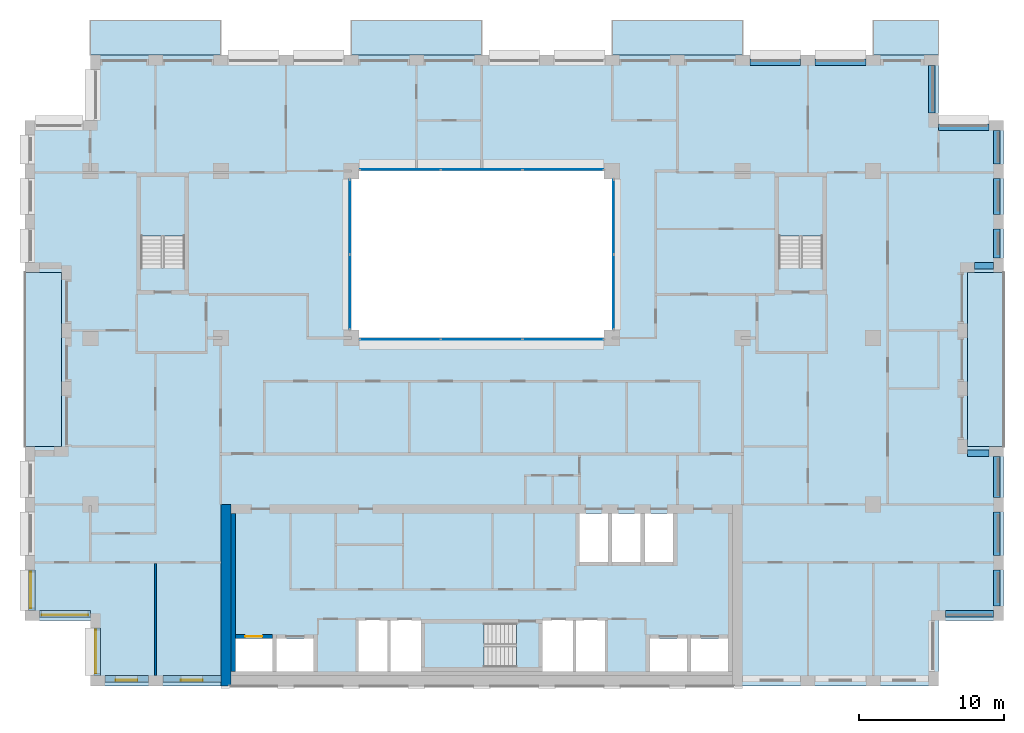
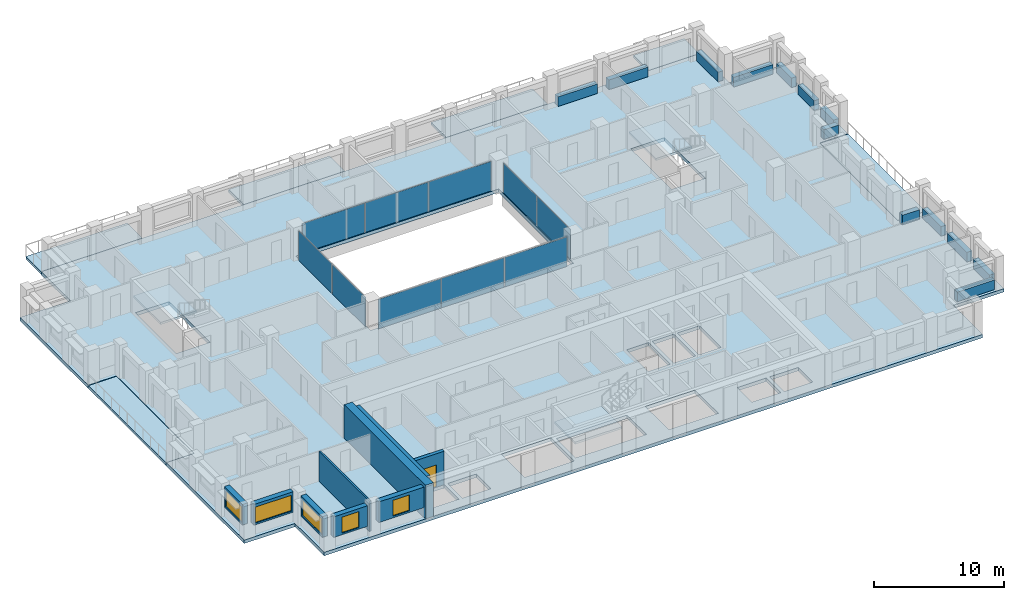
# One storey, part 7 of 16: 13 beams, 10 plates, 10 slabs, 9 walls, 5 windows, 1 door, 6 openings, 7 elements without a shape of their own.
"""IFC4 building model written with IfcOpenShell, lengths in metres."""

from ifc_helpers import new_model, si_unit, direction, frame, frame_2d, origin, origin_2d, place, context, subcontext, project, spatial, polyline, rectangle, outline, extrude, material, layer, layer_set, material_profile, profile_set, type_object, element, fill, aggregate, save


model = new_model("IFC4")

# Units and contexts
model_context = context("Model", 3, precision=1e-05, world=origin(), true_north=direction((0.0, 1.0)))
body_context = subcontext(model_context, "Body", "Model", "MODEL_VIEW")
ifc_project = project(units=[si_unit("LENGTHUNIT", "METRE"), si_unit("AREAUNIT", "SQUARE_METRE"), si_unit("VOLUMEUNIT", "CUBIC_METRE"), si_unit("PLANEANGLEUNIT", "RADIAN"), si_unit("MASSUNIT", "GRAM", prefix="KILO")], contexts=[model_context])

# Site, building, storey
site_placement = place(None, origin())
site = spatial("IfcSite", under=ifc_project, at=site_placement, CompositionType="ELEMENT")
building_placement = place(site_placement, origin())
building = spatial("IfcBuilding", under=site, at=building_placement, Name="Brigalow Station Residences", CompositionType="ELEMENT")
storey_placement = place(building_placement, frame((0.0, 0.0, 169.64990234375)))
storey = spatial("IfcBuildingStorey", under=building, at=storey_placement, Name="L49", CompositionType="ELEMENT", Elevation=169.64990234375)

# Beams
ifc_material_1 = material(Name="Concrete C50", Category="concrete")
ifc_material_profile = material_profile(ifc_material_1, rectangle(XDim=0.449951171875, YDim=0.89990234375, at=origin_2d()), Name="RC450x900")
ifc_profile_set = profile_set([ifc_material_profile], Name="Concrete C50")
beam_type = type_object("IfcBeamType", Name="SPANDREL BEAM 450x900 C50", PredefinedType="SPANDREL", material=ifc_profile_set)
beam_1_placement = place(storey_placement, frame((68.0, 4.97509765625, 0.4501953125), z_axis=(1.0, 0.0, 0.0), x_axis=(0.0, 1.0, 0.0)))
element("IfcBeam", 1, at=beam_1_placement, inside=storey, type_object=beam_type, Name="L49/spandrel/W-L49-8", PredefinedType="SPANDREL", context=body_context, shape_type="SweptSolid", body=[
    extrude(rectangle(XDim=0.449951171875, YDim=0.89990234375, at=origin_2d()), origin(), (0.0, 0.0, 1.0), 3.300048828125),
])
beam_2_placement = place(storey_placement, frame((71.52490234375, 5.5, 0.4501953125), z_axis=(0.0, 1.0, 0.0), x_axis=(-1.0, 0.0, 0.0)))
element("IfcBeam", 2, at=beam_2_placement, inside=storey, type_object=beam_type, Name="L49/spandrel/W-L49-9", PredefinedType="SPANDREL", context=body_context, shape_type="SweptSolid", body=[
    extrude(rectangle(XDim=0.449951171875, YDim=0.89990234375, at=origin_2d()), origin(), (0.0, 0.0, 1.0), 2.5),
])
beam_3_placement = place(storey_placement, frame((71.52490234375, 9.0, 0.4501953125), z_axis=(0.0, 1.0, 0.0), x_axis=(-1.0, 0.0, 0.0)))
element("IfcBeam", 3, at=beam_3_placement, inside=storey, type_object=beam_type, Name="L49/spandrel/W-L49-10", PredefinedType="SPANDREL", context=body_context, shape_type="SweptSolid", body=[
    extrude(rectangle(XDim=0.449951171875, YDim=0.89990234375, at=origin_2d()), origin(), (0.0, 0.0, 1.0), 3.0),
])
beam_4_placement = place(storey_placement, frame((71.52490234375, 13.0, 0.4501953125), z_axis=(0.0, 1.0, 0.0), x_axis=(-1.0, 0.0, 0.0)))
element("IfcBeam", 4, at=beam_4_placement, inside=storey, type_object=beam_type, Name="L49/spandrel/W-L49-11", PredefinedType="SPANDREL", context=body_context, shape_type="SweptSolid", body=[
    extrude(rectangle(XDim=0.449951171875, YDim=0.89990234375, at=origin_2d()), origin(), (0.0, 0.0, 1.0), 2.800048828125),
])
beam_5_placement = place(storey_placement, frame((71.0, 16.02490234375, 0.4501953125), z_axis=(-1.0, 0.0, 0.0), x_axis=(0.0, -1.0, 0.0)))
element("IfcBeam", 5, at=beam_5_placement, inside=storey, type_object=beam_type, Name="L49/spandrel/W-L49-12", PredefinedType="SPANDREL", context=body_context, shape_type="SweptSolid", body=[
    extrude(rectangle(XDim=0.449951171875, YDim=0.89990234375, at=origin_2d()), origin(), (0.0, 0.0, 1.0), 1.5),
])
beam_6_placement = place(storey_placement, frame((70.0, 28.97509765625, 0.4501953125), z_axis=(1.0, 0.0, 0.0), x_axis=(0.0, 1.0, 0.0)))
element("IfcBeam", 6, at=beam_6_placement, inside=storey, type_object=beam_type, Name="L49/spandrel/W-L49-16", PredefinedType="SPANDREL", context=body_context, shape_type="SweptSolid", body=[
    extrude(rectangle(XDim=0.449951171875, YDim=0.89990234375, at=origin_2d()), origin(), (0.0, 0.0, 1.0), 1.300048828125),
])
beam_7_placement = place(storey_placement, frame((71.52490234375, 29.5, 0.4501953125), z_axis=(0.0, 1.0, 0.0), x_axis=(-1.0, 0.0, 0.0)))
element("IfcBeam", 7, at=beam_7_placement, inside=storey, type_object=beam_type, Name="L49/spandrel/W-L49-17", PredefinedType="SPANDREL", context=body_context, shape_type="SweptSolid", body=[
    extrude(rectangle(XDim=0.449951171875, YDim=0.89990234375, at=origin_2d()), origin(), (0.0, 0.0, 1.0), 2.0),
])
beam_8_placement = place(storey_placement, frame((71.52490234375, 32.5, 0.4501953125), z_axis=(0.0, 1.0, 0.0), x_axis=(-1.0, 0.0, 0.0)))
element("IfcBeam", 8, at=beam_8_placement, inside=storey, type_object=beam_type, Name="L49/spandrel/W-L49-18", PredefinedType="SPANDREL", context=body_context, shape_type="SweptSolid", body=[
    extrude(rectangle(XDim=0.449951171875, YDim=0.89990234375, at=origin_2d()), origin(), (0.0, 0.0, 1.0), 2.5),
])
beam_9_placement = place(storey_placement, frame((71.52490234375, 36.0, 0.4501953125), z_axis=(0.0, 1.0, 0.0), x_axis=(-1.0, 0.0, 0.0)))
element("IfcBeam", 9, at=beam_9_placement, inside=storey, type_object=beam_type, Name="L49/spandrel/W-L49-19", PredefinedType="SPANDREL", context=body_context, shape_type="SweptSolid", body=[
    extrude(rectangle(XDim=0.449951171875, YDim=0.89990234375, at=origin_2d()), origin(), (0.0, 0.0, 1.0), 2.300048828125),
])
beam_10_placement = place(storey_placement, frame((71.0, 38.52490234375, 0.4501953125), z_axis=(-1.0, 0.0, 0.0), x_axis=(0.0, -1.0, 0.0)))
element("IfcBeam", 10, at=beam_10_placement, inside=storey, type_object=beam_type, Name="L49/spandrel/W-L49-20", PredefinedType="SPANDREL", context=body_context, shape_type="SweptSolid", body=[
    extrude(rectangle(XDim=0.449951171875, YDim=0.89990234375, at=origin_2d()), origin(), (0.0, 0.0, 1.0), 3.5),
])
beam_11_placement = place(storey_placement, frame((67.02490234375, 39.5, 0.4501953125), z_axis=(0.0, 1.0, 0.0), x_axis=(-1.0, 0.0, 0.0)))
element("IfcBeam", 11, at=beam_11_placement, inside=storey, type_object=beam_type, Name="L49/spandrel/W-L49-21", PredefinedType="SPANDREL", context=body_context, shape_type="SweptSolid", body=[
    extrude(rectangle(XDim=0.449951171875, YDim=0.89990234375, at=origin_2d()), origin(), (0.0, 0.0, 1.0), 3.300048828125),
])
for number, where, z_axis, x_axis, name in (
    (12, (62.5, 43.02490234375, 0.4501953125), (-1.0, 0.0, 0.0), (0.0, -1.0, 0.0), "L49/spandrel/W-L49-23"),
    (13, (58.0, 43.02490234375, 0.4501953125), (-1.0, 0.0, 0.0), (0.0, -1.0, 0.0), "L49/spandrel/W-L49-24"),
):
    element("IfcBeam", number, at=place(storey_placement, frame(where, z_axis=z_axis, x_axis=x_axis)), inside=storey, type_object=beam_type, Name=name, PredefinedType="SPANDREL", context=body_context, shape_type="SweptSolid", body=[
        extrude(rectangle(XDim=0.449951171875, YDim=0.89990234375, at=origin_2d()), origin(), (0.0, 0.0, 1.0), 3.5),
    ])

# Curtain wall, plates
ifc_material_2 = material(Name="Aluminium", Category="aluminium")
ifc_layer_1 = layer(ifc_material_2, 0.14990234375)
ifc_layer_set_1 = layer_set([ifc_layer_1], Name="ATRIUM FIRE-RATED GLAZING CURTAIN WALL")
curtain_wall_type = type_object("IfcCurtainWallType", Name="ATRIUM FIRE-RATED GLAZING CURTAIN WALL", PredefinedType="NOTDEFINED", material=ifc_layer_set_1)
curtain_wall_1_placement = place(storey_placement, origin())
curtain_wall_1 = element("IfcCurtainWall", 14, at=curtain_wall_1_placement, inside=storey, type_object=curtain_wall_type, Name="L49/cw/atrium-S", PredefinedType="NOTDEFINED")
ifc_material_3 = material(Name="Fire-resisting laminated glazing, FRL -/60/-", Category="glass")
ifc_layer_2 = layer(ifc_material_3, 0.031982421875)
ifc_layer_set_2 = layer_set([ifc_layer_2], Name="ATRIUM FIRE-RATED GLAZING PANEL 32")
plate_type = type_object("IfcPlateType", Name="ATRIUM FIRE-RATED GLAZING PANEL 32", PredefinedType="CURTAIN_PANEL", material=ifc_layer_set_2)
plate_1_placement = place(storey_placement, frame((30.381591796875, 23.89990234375, 0.0), z_axis=(0.0, 0.0, 1.0), x_axis=(1.0, 0.0, 0.0)))
plate_1 = element("IfcPlate", 15, at=plate_1_placement, type_object=plate_type, Name="L49/cw/atrium-S/P00-00", PredefinedType="CURTAIN_PANEL", context=body_context, shape_type="SweptSolid", body=[
    extrude(rectangle(XDim=5.543212890625, YDim=0.031982421875, at=origin_2d()), origin(), (0.0, 0.0, 1.0), 2.77001953125),
])
plate_2_placement = place(storey_placement, frame((36.0, 23.89990234375, 0.0), z_axis=(0.0, 0.0, 1.0), x_axis=(1.0, 0.0, 0.0)))
plate_2 = element("IfcPlate", 16, at=plate_2_placement, type_object=plate_type, Name="L49/cw/atrium-S/P01-00", PredefinedType="CURTAIN_PANEL", context=body_context, shape_type="SweptSolid", body=[
    extrude(rectangle(XDim=5.5732421875, YDim=0.031982421875, at=origin_2d()), origin(), (0.0, 0.0, 1.0), 2.77001953125),
])
plate_3_placement = place(storey_placement, frame((41.618408203125, 23.89990234375, 0.0), z_axis=(0.0, 0.0, 1.0), x_axis=(1.0, 0.0, 0.0)))
plate_3 = element("IfcPlate", 17, at=plate_3_placement, type_object=plate_type, Name="L49/cw/atrium-S/P02-00", PredefinedType="CURTAIN_PANEL", context=body_context, shape_type="SweptSolid", body=[
    extrude(rectangle(XDim=5.543212890625, YDim=0.031982421875, at=origin_2d()), origin(), (0.0, 0.0, 1.0), 2.77001953125),
])
aggregate(curtain_wall_1, [plate_1, plate_2, plate_3])

curtain_wall_2_placement = place(storey_placement, origin())
curtain_wall_2 = element("IfcCurtainWall", 18, at=curtain_wall_2_placement, inside=storey, type_object=curtain_wall_type, Name="L49/cw/atrium-E", PredefinedType="NOTDEFINED")
plate_4_placement = place(storey_placement, frame((45.10009765625, 27.1650390625, 0.0), z_axis=(0.0, 0.0, 1.0), x_axis=(0.0, 1.0, 0.0)))
plate_4 = element("IfcPlate", 19, at=plate_4_placement, type_object=plate_type, Name="L49/cw/atrium-E/P00-00", PredefinedType="CURTAIN_PANEL", context=body_context, shape_type="SweptSolid", body=[
    extrude(rectangle(XDim=5.110107421875, YDim=0.031982421875, at=origin_2d()), origin(), (0.0, 0.0, 1.0), 2.77001953125),
])
plate_5_placement = place(storey_placement, frame((45.10009765625, 32.3349609375, 0.0), z_axis=(0.0, 0.0, 1.0), x_axis=(0.0, 1.0, 0.0)))
plate_5 = element("IfcPlate", 20, at=plate_5_placement, type_object=plate_type, Name="L49/cw/atrium-E/P01-00", PredefinedType="CURTAIN_PANEL", context=body_context, shape_type="SweptSolid", body=[
    extrude(rectangle(XDim=5.110107421875, YDim=0.031982421875, at=origin_2d()), origin(), (0.0, 0.0, 1.0), 2.77001953125),
])
aggregate(curtain_wall_2, [plate_4, plate_5])

curtain_wall_3_placement = place(storey_placement, origin())
curtain_wall_3 = element("IfcCurtainWall", 21, at=curtain_wall_3_placement, inside=storey, type_object=curtain_wall_type, Name="L49/cw/atrium-N", PredefinedType="NOTDEFINED")
plate_6_placement = place(storey_placement, frame((41.618408203125, 35.60009765625, 0.0), z_axis=(0.0, 0.0, 1.0), x_axis=(-1.0, 0.0, 0.0)))
plate_6 = element("IfcPlate", 22, at=plate_6_placement, type_object=plate_type, Name="L49/cw/atrium-N/P00-00", PredefinedType="CURTAIN_PANEL", context=body_context, shape_type="SweptSolid", body=[
    extrude(rectangle(XDim=5.543212890625, YDim=0.031982421875, at=origin_2d()), origin(), (0.0, 0.0, 1.0), 2.77001953125),
])
plate_7_placement = place(storey_placement, frame((36.0, 35.60009765625, 0.0), z_axis=(0.0, 0.0, 1.0), x_axis=(-1.0, 0.0, 0.0)))
plate_7 = element("IfcPlate", 23, at=plate_7_placement, type_object=plate_type, Name="L49/cw/atrium-N/P01-00", PredefinedType="CURTAIN_PANEL", context=body_context, shape_type="SweptSolid", body=[
    extrude(rectangle(XDim=5.5732421875, YDim=0.031982421875, at=origin_2d()), origin(), (0.0, 0.0, 1.0), 2.77001953125),
])
plate_8_placement = place(storey_placement, frame((30.381591796875, 35.60009765625, 0.0), z_axis=(0.0, 0.0, 1.0), x_axis=(-1.0, 0.0, 0.0)))
plate_8 = element("IfcPlate", 24, at=plate_8_placement, type_object=plate_type, Name="L49/cw/atrium-N/P02-00", PredefinedType="CURTAIN_PANEL", context=body_context, shape_type="SweptSolid", body=[
    extrude(rectangle(XDim=5.543212890625, YDim=0.031982421875, at=origin_2d()), origin(), (0.0, 0.0, 1.0), 2.77001953125),
])
aggregate(curtain_wall_3, [plate_6, plate_7, plate_8])

curtain_wall_4_placement = place(storey_placement, origin())
curtain_wall_4 = element("IfcCurtainWall", 25, at=curtain_wall_4_placement, inside=storey, type_object=curtain_wall_type, Name="L49/cw/atrium-W", PredefinedType="NOTDEFINED")
plate_9_placement = place(storey_placement, frame((26.89990234375, 32.3349609375, 0.0), z_axis=(0.0, 0.0, 1.0), x_axis=(0.0, -1.0, 0.0)))
plate_9 = element("IfcPlate", 26, at=plate_9_placement, type_object=plate_type, Name="L49/cw/atrium-W/P00-00", PredefinedType="CURTAIN_PANEL", context=body_context, shape_type="SweptSolid", body=[
    extrude(rectangle(XDim=5.110107421875, YDim=0.031982421875, at=origin_2d()), origin(), (0.0, 0.0, 1.0), 2.77001953125),
])
plate_10_placement = place(storey_placement, frame((26.89990234375, 27.1650390625, 0.0), z_axis=(0.0, 0.0, 1.0), x_axis=(0.0, -1.0, 0.0)))
plate_10 = element("IfcPlate", 27, at=plate_10_placement, type_object=plate_type, Name="L49/cw/atrium-W/P01-00", PredefinedType="CURTAIN_PANEL", context=body_context, shape_type="SweptSolid", body=[
    extrude(rectangle(XDim=5.110107421875, YDim=0.031982421875, at=origin_2d()), origin(), (0.0, 0.0, 1.0), 2.77001953125),
])
aggregate(curtain_wall_4, [plate_9, plate_10])

# Slabs
ifc_material_4 = material(Name="Concrete C50 precast", Category="concrete")
ifc_layer_3 = layer(ifc_material_4, 0.25)
ifc_layer_set_3 = layer_set([ifc_layer_3], Name="BALCONY SLAB 250")
slab_type_1 = type_object("IfcSlabType", Name="BALCONY SLAB 250", PredefinedType="USERDEFINED", material=ifc_layer_set_3)
slab_1_placement = place(storey_placement, frame((0.0, 0.0, -0.289794921875)))
element("IfcSlab", 28, at=slab_1_placement, inside=storey, type_object=slab_type_1, Name="L49/balcony/1", ObjectType="BALCONY", PredefinedType="USERDEFINED", context=body_context, shape_type="SweptSolid", body=[
    extrude(outline(polyline([(69.5, 16.5), (72.0, 16.5), (72.0, 28.5), (69.5, 28.5), (69.5, 16.5)])), origin(), (0.0, 0.0, 1.0), 0.25),
])
slab_2_placement = place(storey_placement, frame((0.0, 0.0, -0.289794921875)))
element("IfcSlab", 29, at=slab_2_placement, inside=storey, type_object=slab_type_1, Name="L49/balcony/2", ObjectType="BALCONY", PredefinedType="USERDEFINED", context=body_context, shape_type="SweptSolid", body=[
    extrude(outline(polyline([(67.5, 43.5), (67.5, 45.89990234375), (63.0, 45.89990234375), (63.0, 43.5), (67.5, 43.5)])), origin(), (0.0, 0.0, 1.0), 0.25),
])
slab_3_placement = place(storey_placement, frame((0.0, 0.0, -0.289794921875)))
element("IfcSlab", 30, at=slab_3_placement, inside=storey, type_object=slab_type_1, Name="L49/balcony/3", ObjectType="BALCONY", PredefinedType="USERDEFINED", context=body_context, shape_type="SweptSolid", body=[
    extrude(outline(polyline([(54.0, 43.5), (54.0, 45.89990234375), (45.0, 45.89990234375), (45.0, 43.5), (54.0, 43.5)])), origin(), (0.0, 0.0, 1.0), 0.25),
])
slab_4_placement = place(storey_placement, frame((0.0, 0.0, -0.289794921875)))
element("IfcSlab", 31, at=slab_4_placement, inside=storey, type_object=slab_type_1, Name="L49/balcony/4", ObjectType="BALCONY", PredefinedType="USERDEFINED", context=body_context, shape_type="SweptSolid", body=[
    extrude(outline(polyline([(36.0, 43.5), (36.0, 45.89990234375), (27.0, 45.89990234375), (27.0, 43.5), (36.0, 43.5)])), origin(), (0.0, 0.0, 1.0), 0.25),
])
slab_5_placement = place(storey_placement, frame((0.0, 0.0, -0.289794921875)))
element("IfcSlab", 32, at=slab_5_placement, inside=storey, type_object=slab_type_1, Name="L49/balcony/5", ObjectType="BALCONY", PredefinedType="USERDEFINED", context=body_context, shape_type="SweptSolid", body=[
    extrude(outline(polyline([(18.0, 43.5), (18.0, 45.89990234375), (9.0, 45.89990234375), (9.0, 43.5), (18.0, 43.5)])), origin(), (0.0, 0.0, 1.0), 0.25),
])
slab_6_placement = place(storey_placement, frame((0.0, 0.0, -0.289794921875)))
element("IfcSlab", 33, at=slab_6_placement, inside=storey, type_object=slab_type_1, Name="L49/balcony/6", ObjectType="BALCONY", PredefinedType="USERDEFINED", context=body_context, shape_type="SweptSolid", body=[
    extrude(outline(polyline([(7.0, 28.5), (4.5, 28.5), (4.5, 16.5), (7.0, 16.5), (7.0, 28.5)])), origin(), (0.0, 0.0, 1.0), 0.25),
])
ifc_material_5 = material(Name="Concrete C50", Category="concrete")
ifc_layer_4 = layer(ifc_material_5, 0.320068359375)
ifc_layer_set_4 = layer_set([ifc_layer_4], Name="POST-TENSIONED FLAT PLATE 320 C50")
slab_type_2 = type_object("IfcSlabType", Name="POST-TENSIONED FLAT PLATE 320 C50", PredefinedType="FLOOR", material=ifc_layer_set_4)
slab_7_placement = place(storey_placement, frame((0.0, 0.0, -0.31982421875)))
element("IfcSlab", 34, at=slab_7_placement, inside=storey, type_object=slab_type_2, Name="FLOOR SLAB L49", PredefinedType="FLOOR", context=body_context, shape_type="SweptSolid", body=[
    extrude(outline(polyline([(9.0, 0.0), (67.5, 0.0), (67.5, 4.5), (72.0, 4.5), (72.0, 16.5), (69.5, 16.5), (69.5, 28.5), (72.0, 28.5), (72.0, 39.0), (67.5, 39.0), (67.5, 43.5), (9.0, 43.5), (9.0, 39.0), (4.5, 39.0), (4.5, 28.5), (7.0, 28.5), (7.0, 16.5), (4.5, 16.5), (4.5, 4.5), (9.0, 4.5), (9.0, 0.0)]), holes=[polyline([(12.5048828125, 35.094970703125), (15.4951171875, 35.094970703125), (15.4951171875, 28.804931640625), (12.5048828125, 28.804931640625), (12.5048828125, 35.094970703125)]), polyline([(19.0, 1.0), (19.0, 3.25), (21.550048828125, 3.25), (21.550048828125, 1.0), (19.0, 1.0)]), polyline([(21.85009765625, 3.25), (24.39990234375, 3.25), (24.39990234375, 1.0), (21.85009765625, 1.0), (21.85009765625, 3.25)]), polyline([(27.0, 35.5), (45.0, 35.5), (45.0, 24.0), (27.0, 24.0), (27.0, 35.5)]), polyline([(29.60009765625, 4.60009765625), (31.800048828125, 4.60009765625), (31.800048828125, 1.0), (29.60009765625, 1.0), (27.39990234375, 1.0), (27.39990234375, 4.60009765625), (29.60009765625, 4.60009765625)]), polyline([(32.10498046875, 4.294921875), (38.39501953125, 4.294921875), (38.39501953125, 1.304931640625), (32.10498046875, 1.304931640625), (32.10498046875, 4.294921875)]), polyline([(40.199951171875, 4.60009765625), (42.39990234375, 4.60009765625), (44.60009765625, 4.60009765625), (44.60009765625, 1.0), (42.39990234375, 1.0), (40.199951171875, 1.0), (40.199951171875, 4.60009765625)]), polyline([(42.75, 11.89990234375), (44.699951171875, 11.89990234375), (44.699951171875, 8.550048828125), (42.75, 8.550048828125), (42.75, 11.89990234375)]), polyline([(45.0, 11.89990234375), (46.949951171875, 11.89990234375), (46.949951171875, 8.550048828125), (45.0, 8.550048828125), (45.0, 11.89990234375)]), polyline([(47.25, 11.89990234375), (49.199951171875, 11.89990234375), (49.199951171875, 8.550048828125), (47.25, 8.550048828125), (47.25, 11.89990234375)]), polyline([(47.60009765625, 3.25), (50.14990234375, 3.25), (50.14990234375, 1.0), (47.60009765625, 1.0), (47.60009765625, 3.25)]), polyline([(50.449951171875, 3.25), (53.0, 3.25), (53.0, 1.0), (50.449951171875, 1.0), (50.449951171875, 3.25)]), polyline([(56.5048828125, 35.094970703125), (59.4951171875, 35.094970703125), (59.4951171875, 28.804931640625), (56.5048828125, 28.804931640625), (56.5048828125, 35.094970703125)])]), origin(), (0.0, 0.0, 1.0), 0.31982421875),
])

# Stair, slab
ifc_material_6 = material(Name="Concrete C50", Category="concrete")
stair_type = type_object("IfcStairType", Name="EXIT STAIR 1400 2 FLIGHT", PredefinedType="HALF_TURN_STAIR", material=ifc_material_6)
stair_1_placement = place(storey_placement, origin())
stair_1 = element("IfcStair", 35, at=stair_1_placement, inside=storey, type_object=stair_type, Name="EXIT STAIR S2 L49", PredefinedType="HALF_TURN_STAIR")
ifc_material_7 = material(Name="Concrete C50", Category="concrete")
ifc_layer_5 = layer(ifc_material_7, 0.199951171875)
ifc_layer_set_5 = layer_set([ifc_layer_5], Name="STAIR LANDING 200")
slab_type_3 = type_object("IfcSlabType", Name="STAIR LANDING 200", PredefinedType="LANDING", material=ifc_layer_set_5)
slab_8_placement = place(storey_placement, frame((0.0, 0.0, 1.375)))
slab_8 = element("IfcSlab", 36, at=slab_8_placement, type_object=slab_type_3, Name="ST-2 landing 1", PredefinedType="LANDING", context=body_context, shape_type="SweptSolid", body=[
    extrude(outline(polyline([(32.0, 1.199951171875), (36.159912109375, 1.199951171875), (36.159912109375, 4.39990234375), (32.0, 4.39990234375), (32.0, 1.199951171875)])), origin(), (0.0, 0.0, 1.0), 0.2001953125),
])
aggregate(stair_1, [slab_8])

stair_2_placement = place(storey_placement, origin())
stair_2 = element("IfcStair", 37, at=stair_2_placement, inside=storey, type_object=stair_type, Name="EXIT STAIR S1 L49", PredefinedType="HALF_TURN_STAIR")
slab_9_placement = place(storey_placement, frame((0.0, 0.0, 1.375)))
slab_9 = element("IfcSlab", 38, at=slab_9_placement, type_object=slab_type_3, Name="ST-1 landing 1", PredefinedType="LANDING", context=body_context, shape_type="SweptSolid", body=[
    extrude(outline(polyline([(12.39990234375, 31.0400390625), (15.60009765625, 31.0400390625), (15.60009765625, 35.199951171875), (12.39990234375, 35.199951171875), (12.39990234375, 31.0400390625)])), origin(), (0.0, 0.0, 1.0), 0.2001953125),
])
aggregate(stair_2, [slab_9])

stair_3_placement = place(storey_placement, origin())
stair_3 = element("IfcStair", 39, at=stair_3_placement, inside=storey, type_object=stair_type, Name="EXIT STAIR S3 L49", PredefinedType="HALF_TURN_STAIR")
slab_10_placement = place(storey_placement, frame((0.0, 0.0, 1.375)))
slab_10 = element("IfcSlab", 40, at=slab_10_placement, type_object=slab_type_3, Name="ST-3 landing 1", PredefinedType="LANDING", context=body_context, shape_type="SweptSolid", body=[
    extrude(outline(polyline([(56.39990234375, 31.0400390625), (59.60009765625, 31.0400390625), (59.60009765625, 35.199951171875), (56.39990234375, 35.199951171875), (56.39990234375, 31.0400390625)])), origin(), (0.0, 0.0, 1.0), 0.2001953125),
])
aggregate(stair_3, [slab_10])

# Wall, opening, window
ifc_material_8 = material(Name="Clay brick masonry", Category="masonry")
ifc_layer_6 = layer(ifc_material_8, 0.449951171875)
ifc_layer_set_6 = layer_set([ifc_layer_6], Name="BRICK INFILL WALL 450")
wall_type_1 = type_object("IfcWallType", Name="BRICK INFILL WALL 450", PredefinedType="SOLIDWALL", material=ifc_layer_set_6)
wall_1_placement = place(storey_placement, frame((10.0, 0.47509765625, 0.900146484375), z_axis=(0.0, 0.0, 1.0), x_axis=(1.0, 0.0, 0.0)))
wall_1 = element("IfcWall", 41, at=wall_1_placement, inside=storey, type_object=wall_type_1, Name="L49/ewall/W-L49-1", PredefinedType="SOLIDWALL", context=body_context, shape_type="SweptSolid", body=[
    extrude(rectangle(XDim=3.0, YDim=0.449951171875, at=frame_2d((1.5, 0.0))), origin(), (0.0, 0.0, 1.0), 1.929931640625),
])
opening_1_placement = place(wall_1_placement, frame((0.75, 0.0, 0.14990234375)))
opening_1 = element("IfcOpeningElement", 42, at=opening_1_placement, cuts=wall_1, Name="Opening WT-1", PredefinedType="OPENING", context=body_context, shape_type="SweptSolid", body=[
    extrude(rectangle(XDim=1.5, YDim=1.5, at=frame_2d((0.75, 0.75))), frame((0.0, 0.23486328125, 0.0), z_axis=(0.0, -1.0, 0.0), x_axis=(1.0, 0.0, 0.0)), (0.0, 0.0, 1.0), 0.469970703125),
])
ifc_material_9 = material(Name="Anodised aluminium frame with double glazing", Category="aluminium")
window_type_1 = type_object("IfcWindowType", Name="WINDOW 1500x1500", PartitioningType="SINGLE_PANEL", PredefinedType="WINDOW", material=ifc_material_9)
window_1_placement = place(opening_1_placement, origin())
window_1 = element("IfcWindow", 43, at=window_1_placement, inside=storey, type_object=window_type_1, Name="L49/window/W-L49-1", OverallHeight=1.5, OverallWidth=1.5, PartitioningType="SINGLE_PANEL", PredefinedType="WINDOW", context=body_context, shape_type="SweptSolid", body=[
    extrude(rectangle(XDim=1.5, YDim=1.5, at=frame_2d((0.75, 0.75))), frame((0.0, -0.06494140625, 0.0), z_axis=(0.0, -1.0, 0.0), x_axis=(1.0, 0.0, 0.0)), (0.0, 0.0, 1.0), 0.06005859375),
])
fill(opening_1, window_1)

wall_2_placement = place(storey_placement, frame((14.0, 0.47509765625, 0.900146484375), z_axis=(0.0, 0.0, 1.0), x_axis=(1.0, 0.0, 0.0)))
wall_2 = element("IfcWall", 44, at=wall_2_placement, inside=storey, type_object=wall_type_1, Name="L49/ewall/W-L49-2", PredefinedType="SOLIDWALL", context=body_context, shape_type="SweptSolid", body=[
    extrude(rectangle(XDim=4.0, YDim=0.449951171875, at=frame_2d((2.0, 0.0))), origin(), (0.0, 0.0, 1.0), 1.929931640625),
])
opening_2_placement = place(wall_2_placement, frame((1.25, 0.0, 0.14990234375)))
opening_2 = element("IfcOpeningElement", 45, at=opening_2_placement, cuts=wall_2, Name="Opening WT-1", PredefinedType="OPENING", context=body_context, shape_type="SweptSolid", body=[
    extrude(rectangle(XDim=1.5, YDim=1.5, at=frame_2d((0.75, 0.75))), frame((0.0, 0.23486328125, 0.0), z_axis=(0.0, -1.0, 0.0), x_axis=(1.0, 0.0, 0.0)), (0.0, 0.0, 1.0), 0.469970703125),
])
window_2_placement = place(opening_2_placement, origin())
window_2 = element("IfcWindow", 46, at=window_2_placement, inside=storey, type_object=window_type_1, Name="L49/window/W-L49-2", OverallHeight=1.5, OverallWidth=1.5, PartitioningType="SINGLE_PANEL", PredefinedType="WINDOW", context=body_context, shape_type="SweptSolid", body=[
    extrude(rectangle(XDim=1.5, YDim=1.5, at=frame_2d((0.75, 0.75))), frame((0.0, -0.06494140625, 0.0), z_axis=(0.0, -1.0, 0.0), x_axis=(1.0, 0.0, 0.0)), (0.0, 0.0, 1.0), 0.06005859375),
])
fill(opening_2, window_2)

wall_3_placement = place(storey_placement, frame((4.97509765625, 8.0, 0.900146484375), z_axis=(0.0, 0.0, 1.0), x_axis=(0.0, -1.0, 0.0)))
wall_3 = element("IfcWall", 47, at=wall_3_placement, inside=storey, type_object=wall_type_1, Name="L49/ewall/W-L49-47", PredefinedType="SOLIDWALL", context=body_context, shape_type="SweptSolid", body=[
    extrude(rectangle(XDim=2.800048828125, YDim=0.449951171875, at=frame_2d((1.39990234375, 0.0))), origin(), (0.0, 0.0, 1.0), 1.929931640625),
])
opening_3_placement = place(wall_3_placement, frame((0.14990234375, 0.0, 0.14990234375)))
opening_3 = element("IfcOpeningElement", 48, at=opening_3_placement, cuts=wall_3, Name="Opening WT-5", PredefinedType="OPENING", context=body_context, shape_type="SweptSolid", body=[
    extrude(rectangle(XDim=2.5, YDim=1.5, at=frame_2d((1.25, 0.75))), frame((0.0, 0.23486328125, 0.0), z_axis=(0.0, -1.0, 0.0), x_axis=(1.0, 0.0, 0.0)), (0.0, 0.0, 1.0), 0.469970703125),
])
ifc_material_10 = material(Name="Anodised aluminium frame with double glazing", Category="aluminium")
window_type_2 = type_object("IfcWindowType", Name="WINDOW 2500x1500", PartitioningType="SINGLE_PANEL", PredefinedType="WINDOW", material=ifc_material_10)
window_3_placement = place(opening_3_placement, origin())
window_3 = element("IfcWindow", 49, at=window_3_placement, inside=storey, type_object=window_type_2, Name="L49/window/W-L49-47", OverallHeight=1.5, OverallWidth=2.5, PartitioningType="SINGLE_PANEL", PredefinedType="WINDOW", context=body_context, shape_type="SweptSolid", body=[
    extrude(rectangle(XDim=2.5, YDim=1.5, at=frame_2d((1.25, 0.75))), frame((0.0, -0.06494140625, 0.0), z_axis=(0.0, -1.0, 0.0), x_axis=(1.0, 0.0, 0.0)), (0.0, 0.0, 1.0), 0.06005859375),
])
fill(opening_3, window_3)

wall_4_placement = place(storey_placement, frame((5.5, 4.97509765625, 0.900146484375), z_axis=(0.0, 0.0, 1.0), x_axis=(1.0, 0.0, 0.0)))
wall_4 = element("IfcWall", 50, at=wall_4_placement, inside=storey, type_object=wall_type_1, Name="L49/ewall/W-L49-48", PredefinedType="SOLIDWALL", context=body_context, shape_type="SweptSolid", body=[
    extrude(rectangle(XDim=3.5, YDim=0.449951171875, at=frame_2d((1.75, 0.0))), origin(), (0.0, 0.0, 1.0), 1.929931640625),
])
opening_4_placement = place(wall_4_placement, frame((0.14990234375, 0.0, 0.14990234375)))
opening_4 = element("IfcOpeningElement", 51, at=opening_4_placement, cuts=wall_4, Name="Opening WT-9", PredefinedType="OPENING", context=body_context, shape_type="SweptSolid", body=[
    extrude(rectangle(XDim=3.199951171875, YDim=1.5, at=frame_2d((1.60009765625, 0.75))), frame((0.0, 0.23486328125, 0.0), z_axis=(0.0, -1.0, 0.0), x_axis=(1.0, 0.0, 0.0)), (0.0, 0.0, 1.0), 0.469970703125),
])
ifc_material_11 = material(Name="Anodised aluminium frame with double glazing", Category="aluminium")
window_type_3 = type_object("IfcWindowType", Name="WINDOW 3200x1500", PartitioningType="SINGLE_PANEL", PredefinedType="WINDOW", material=ifc_material_11)
window_4_placement = place(opening_4_placement, origin())
window_4 = element("IfcWindow", 52, at=window_4_placement, inside=storey, type_object=window_type_3, Name="L49/window/W-L49-48", OverallHeight=1.5, OverallWidth=3.199951171875, PartitioningType="SINGLE_PANEL", PredefinedType="WINDOW", context=body_context, shape_type="SweptSolid", body=[
    extrude(rectangle(XDim=3.199951171875, YDim=1.5, at=frame_2d((1.60009765625, 0.75))), frame((0.0, -0.06494140625, 0.0), z_axis=(0.0, -1.0, 0.0), x_axis=(1.0, 0.0, 0.0)), (0.0, 0.0, 1.0), 0.06005859375),
])
fill(opening_4, window_4)

wall_5_placement = place(storey_placement, frame((9.47509765625, 4.0, 0.900146484375), z_axis=(0.0, 0.0, 1.0), x_axis=(0.0, -1.0, 0.0)))
wall_5 = element("IfcWall", 53, at=wall_5_placement, inside=storey, type_object=wall_type_1, Name="L49/ewall/W-L49-49", PredefinedType="SOLIDWALL", context=body_context, shape_type="SweptSolid", body=[
    extrude(rectangle(XDim=3.300048828125, YDim=0.449951171875, at=frame_2d((1.64990234375, 0.0))), origin(), (0.0, 0.0, 1.0), 1.929931640625),
])
opening_5_placement = place(wall_5_placement, frame((0.14990234375, 0.0, 0.14990234375)))
opening_5 = element("IfcOpeningElement", 54, at=opening_5_placement, cuts=wall_5, Name="Opening WT-2", PredefinedType="OPENING", context=body_context, shape_type="SweptSolid", body=[
    extrude(rectangle(XDim=3.0, YDim=1.5, at=frame_2d((1.5, 0.75))), frame((0.0, 0.23486328125, 0.0), z_axis=(0.0, -1.0, 0.0), x_axis=(1.0, 0.0, 0.0)), (0.0, 0.0, 1.0), 0.469970703125),
])
ifc_material_12 = material(Name="Anodised aluminium frame with double glazing", Category="aluminium")
window_type_4 = type_object("IfcWindowType", Name="WINDOW 3000x1500", PartitioningType="SINGLE_PANEL", PredefinedType="WINDOW", material=ifc_material_12)
window_5_placement = place(opening_5_placement, origin())
window_5 = element("IfcWindow", 55, at=window_5_placement, inside=storey, type_object=window_type_4, Name="L49/window/W-L49-49", OverallHeight=1.5, OverallWidth=3.0, PartitioningType="SINGLE_PANEL", PredefinedType="WINDOW", context=body_context, shape_type="SweptSolid", body=[
    extrude(rectangle(XDim=3.0, YDim=1.5, at=frame_2d((1.5, 0.75))), frame((0.0, -0.06494140625, 0.0), z_axis=(0.0, -1.0, 0.0), x_axis=(1.0, 0.0, 0.0)), (0.0, 0.0, 1.0), 0.06005859375),
])
fill(opening_5, window_5)

# Wall
ifc_material_13 = material(Name="Concrete C65", Category="concrete")
ifc_layer_7 = layer(ifc_material_13, 0.300048828125)
ifc_layer_set_7 = layer_set([ifc_layer_7], Name="CORE SHEAR WALL 300 C65")
wall_type_2 = type_object("IfcWallType", Name="CORE SHEAR WALL 300 C65", PredefinedType="SHEAR", material=ifc_layer_set_7)
wall_6_placement = place(storey_placement, frame((18.85009765625, 1.0, 0.0), z_axis=(0.0, 0.0, 1.0), x_axis=(0.0, 1.0, 0.0)))
element("IfcWall", 56, at=wall_6_placement, inside=storey, type_object=wall_type_2, Name="CORE WALL LIN-W L49", PredefinedType="SHEAR", context=body_context, shape_type="SweptSolid", body=[
    extrude(rectangle(XDim=10.89990234375, YDim=0.300048828125, at=frame_2d((5.449951171875, 0.0))), origin(), (0.0, 0.0, 1.0), 3.150146484375),
])

# Wall, opening, door
wall_7_placement = place(storey_placement, frame((19.0, 3.39990234375, 0.0), z_axis=(0.0, 0.0, 1.0), x_axis=(1.0, 0.0, 0.0)))
wall_7 = element("IfcWall", 57, at=wall_7_placement, inside=storey, type_object=wall_type_2, Name="CORE WALL SH-C1-N L49", PredefinedType="SHEAR", context=body_context, shape_type="SweptSolid", body=[
    extrude(rectangle(XDim=2.550048828125, YDim=0.300048828125, at=frame_2d((1.27490234375, 0.0))), origin(), (0.0, 0.0, 1.0), 3.150146484375),
])
opening_6_placement = place(wall_7_placement, frame((0.675048828125, 0.0, 0.0)))
opening_6 = element("IfcOpeningElement", 58, at=opening_6_placement, cuts=wall_7, Name="Opening LD-LB1", PredefinedType="OPENING", context=body_context, shape_type="SweptSolid", body=[
    extrude(rectangle(XDim=1.199951171875, YDim=2.10009765625, at=frame_2d((0.60009765625, 1.050048828125))), frame((0.0, 0.16015625, 0.0), z_axis=(0.0, -1.0, 0.0), x_axis=(1.0, 0.0, 0.0)), (0.0, 0.0, 1.0), 0.320068359375),
])
ifc_material_14 = material(Name="Stainless steel sliding door leaves", Category="steel")
door_type = type_object("IfcDoorType", Name="LIFT LANDING DOOR 1200 x 2100", OperationType="DOUBLE_DOOR_SLIDING", PredefinedType="DOOR", material=ifc_material_14)
door_placement = place(opening_6_placement, origin())
door = element("IfcDoor", 59, at=door_placement, inside=storey, type_object=door_type, Name="LANDING DOOR LB1", OperationType="DOUBLE_DOOR_SLIDING", OverallHeight=2.10009765625, OverallWidth=1.199951171875, PredefinedType="DOOR", context=body_context, shape_type="SweptSolid", body=[
    extrude(rectangle(XDim=1.199951171875, YDim=2.10009765625, at=frame_2d((0.60009765625, 1.050048828125))), frame((0.0, 0.02490234375, 0.0), z_axis=(0.0, -1.0, 0.0), x_axis=(1.0, 0.0, 0.0)), (0.0, 0.0, 1.0), 0.050048828125),
])
fill(opening_6, door)

# Walls
ifc_material_15 = material(Name="Concrete C65", Category="concrete")
ifc_layer_8 = layer(ifc_material_15, 0.699951171875)
ifc_layer_set_8 = layer_set([ifc_layer_8], Name="CORE SHEAR WALL 700 C65")
wall_type_3 = type_object("IfcWallType", Name="CORE SHEAR WALL 700 C65", PredefinedType="SHEAR", material=ifc_layer_set_8)
wall_8_placement = place(storey_placement, frame((18.35009765625, 0.0, 0.0), z_axis=(0.0, 0.0, 1.0), x_axis=(0.0, 1.0, 0.0)))
element("IfcWall", 60, at=wall_8_placement, inside=storey, type_object=wall_type_3, Name="CORE WALL OUT-W L49", PredefinedType="SHEAR", context=body_context, shape_type="SweptSolid", body=[
    extrude(rectangle(XDim=12.5, YDim=0.699951171875, at=frame_2d((6.25, 0.0))), origin(), (0.0, 0.0, 1.0), 3.150146484375),
])
ifc_material_16 = material(Name="Plasterboard on steel stud partition", Category="steel")
ifc_layer_9 = layer(ifc_material_16, 0.14990234375)
ifc_layer_set_9 = layer_set([ifc_layer_9], Name="FLAT PARTITION 150")
wall_type_4 = type_object("IfcWallType", Name="FLAT PARTITION 150", PredefinedType="PARTITIONING", material=ifc_layer_set_9)
wall_9_placement = place(storey_placement, frame((13.5, 0.699951171875, 0.0), z_axis=(0.0, 0.0, 1.0), x_axis=(0.0, 1.0, 0.0)))
element("IfcWall", 61, at=wall_9_placement, inside=storey, type_object=wall_type_4, Name="PW-3D35", PredefinedType="PARTITIONING", context=body_context, shape_type="SweptSolid", body=[
    extrude(rectangle(XDim=7.72509765625, YDim=0.14990234375, at=frame_2d((3.862548828125, 0.0))), origin(), (0.0, 0.0, 1.0), 2.830078125),
])

save(model, "model.ifc")
